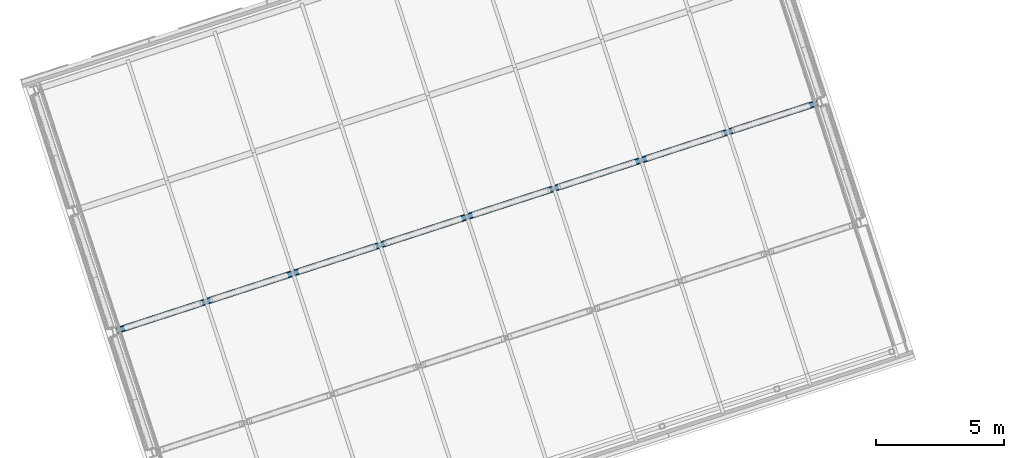
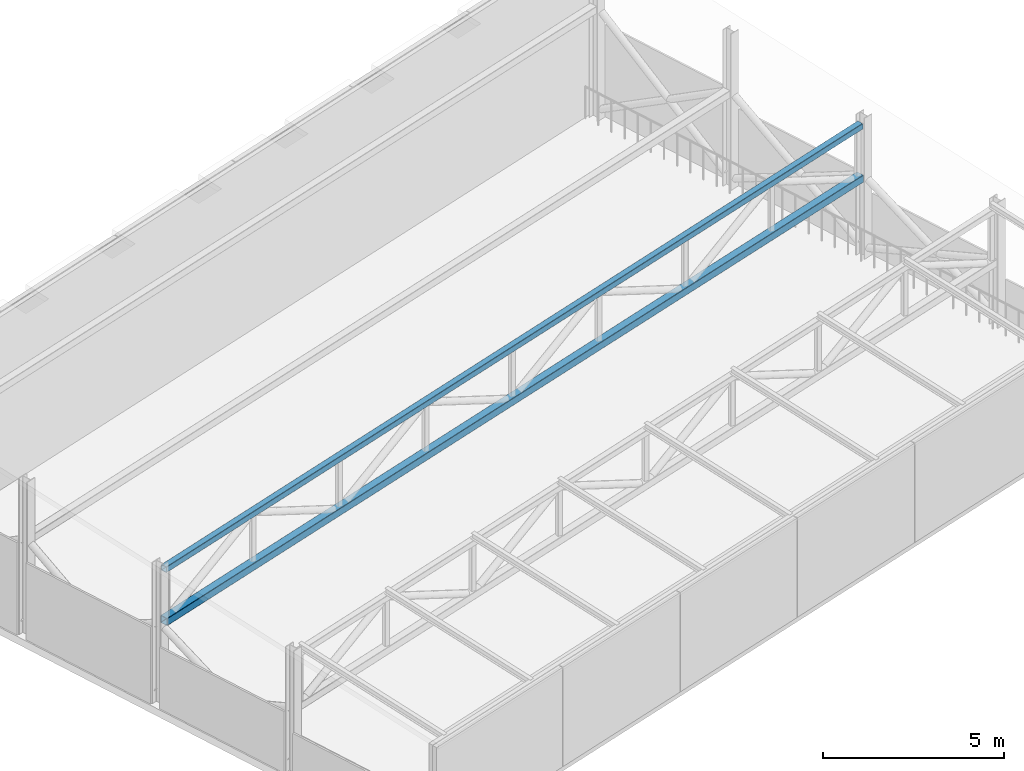
# One storey, part 8 of 49: 2 members.
"""IFC4 building model written with IfcOpenShell, lengths in metres."""

import ifcopenshell
import ifcopenshell.guid

model = None  # the IFC model being written
_history = None  # IfcOwnerHistory: only IFC2X3 demands one
_inside = {}  # id of a spatial element -> (the spatial element, [elements in it])
_under = {}  # id of a project, library or spatial element -> (it, [spatial elements below it])
_declared = {}  # id of a project -> (the project, [libraries it declares])
_typed = {}  # id of a type object -> (the type object, [elements of that type])
_made_of = {}  # id of a material, layer set ... -> (it, [elements and type objects made of it])


def new_model(schema):
    """Start an empty IFC model of exactly this schema.

    Asked for "IFC4X3", IfcOpenShell would pick the latest addendum, in which some entities
    have other attributes; the version numbers below select the first issue.
    IFC2X3 requires an IfcOwnerHistory on every rooted entity: one is made here for all.
    """
    global model, _history
    if schema == "IFC4X3":
        model = ifcopenshell.file(schema_version=(4, 3, 0, 0))
    else:
        model = ifcopenshell.file(schema=schema)
    _inside.clear()
    _under.clear()
    _declared.clear()
    _typed.clear()
    _made_of.clear()
    _history = None
    if model.schema == "IFC2X3":
        org = make("IfcOrganization", Name="unknown")
        user = make(
            "IfcPersonAndOrganization",
            ThePerson=make("IfcPerson", FamilyName="unknown"),
            TheOrganization=org,
        )
        app = make(
            "IfcApplication",
            ApplicationDeveloper=org,
            Version="unknown",
            ApplicationFullName="unknown",
            ApplicationIdentifier="unknown",
        )
        _history = make(
            "IfcOwnerHistory",
            OwningUser=user,
            OwningApplication=app,
            ChangeAction="ADDED",
            CreationDate=0,
        )
    return model


def make(cls, **values):
    """One entity of the class cls with the attributes given. An attribute that is None is left unset."""
    return model.create_entity(
        cls, **{name: value for name, value in values.items() if value is not None}
    )


def rooted(cls, **values):
    """An entity with a GlobalId (a new one), such as an element, a storey or a relation."""
    return make(cls, GlobalId=ifcopenshell.guid.new(), OwnerHistory=_history, **values)


def si_unit(unit_type, name, prefix=None):
    """IfcSIUnit, for example si_unit("LENGTHUNIT", "METRE", prefix="MILLI")."""
    return make("IfcSIUnit", UnitType=unit_type, Prefix=prefix, Name=name)


def assignment(units):
    """IfcUnitAssignment: the units of a project."""
    return None if units is None else make("IfcUnitAssignment", Units=units)


def point(xyz):
    """IfcCartesianPoint."""
    return None if xyz is None else make("IfcCartesianPoint", Coordinates=xyz)


def direction(xyz):
    """IfcDirection."""
    return None if xyz is None else make("IfcDirection", DirectionRatios=xyz)


def frame(location, z_axis=None, x_axis=None):
    """IfcAxis2Placement3D, a coordinate frame: its origin and axes. An axis left out is left unset."""
    return make(
        "IfcAxis2Placement3D",
        Location=point(location),
        Axis=direction(z_axis),
        RefDirection=direction(x_axis),
    )


def frame_2d(location, x_axis=None):
    """IfcAxis2Placement2D, a coordinate frame in the plane: its origin and x axis."""
    return make(
        "IfcAxis2Placement2D", Location=point(location), RefDirection=direction(x_axis)
    )


def origin():
    """The frame at (0, 0, 0) with its axes left unset."""
    return frame((0.0, 0.0, 0.0))


def origin_2d():
    """The frame at (0, 0) in the plane with its x axis left unset."""
    return frame_2d((0.0, 0.0))


def place(relative_to, where):
    """IfcLocalPlacement: puts the frame where relative to a parent placement (None: the world)."""
    return make(
        "IfcLocalPlacement", PlacementRelTo=relative_to, RelativePlacement=where
    )


def context(
    kind, dimensions, precision=None, world=None, true_north=None, identifier=None
):
    """IfcGeometricRepresentationContext, for example the 3D "Model" context."""
    return make(
        "IfcGeometricRepresentationContext",
        ContextIdentifier=identifier,
        ContextType=kind,
        CoordinateSpaceDimension=dimensions,
        Precision=precision,
        WorldCoordinateSystem=world,
        TrueNorth=true_north,
    )


def subcontext(parent, identifier, kind, view, scale=None):
    """IfcGeometricRepresentationSubContext, for example "Body" below "Model"."""
    return make(
        "IfcGeometricRepresentationSubContext",
        ContextIdentifier=identifier,
        ContextType=kind,
        ParentContext=parent,
        TargetScale=scale,
        TargetView=view,
    )


def project(units=None, contexts=None):
    """IfcProject with its units and contexts."""
    return rooted(
        "IfcProject",
        Name="project",
        RepresentationContexts=contexts,
        UnitsInContext=assignment(units),
    )


def spatial(cls, under=None, at=None, **own):
    """A site, building, storey or space (cls), placed at a placement, below another one or the project."""
    s = rooted(cls, ObjectPlacement=at, **own)
    if under is not None:
        _under.setdefault(under.id(), (under, []))[1].append(s)
    return s


def profile(cls, at=None, kind="AREA", **sizes):
    """A parametric profile (cls). Its sizes go by their IFC names, for example OverallWidth=200.0."""
    return make(cls, ProfileType=kind, Position=at, **sizes)


def hollow_rectangle(**sizes):
    """IfcRectangleHollowProfileDef."""
    return profile("IfcRectangleHollowProfileDef", **sizes)


def extrude(swept, where, along, depth):
    """IfcExtrudedAreaSolid: the profile swept, set in the frame where, extruded along a direction by depth."""
    return make(
        "IfcExtrudedAreaSolid",
        SweptArea=swept,
        Position=where,
        ExtrudedDirection=direction(along),
        Depth=depth,
    )


def shape(context_of_items, identifier, shape_type, items):
    """IfcShapeRepresentation: the items that make up one representation, for example the "Body"."""
    return make(
        "IfcShapeRepresentation",
        ContextOfItems=context_of_items,
        RepresentationIdentifier=identifier,
        RepresentationType=shape_type,
        Items=items,
    )


def material(Name=None, Category=None):
    """IfcMaterial."""
    return make("IfcMaterial", Name=Name, Category=Category)


def material_profile(
    of_material, cross_section, Name=None, Category=None, Priority=None
):
    """IfcMaterialProfile: a cross section and its material."""
    return make(
        "IfcMaterialProfile",
        Name=Name,
        Material=of_material,
        Profile=cross_section,
        Priority=Priority,
        Category=Category,
    )


def profile_set(profiles, Name=None, composite=None):
    """IfcMaterialProfileSet."""
    return make(
        "IfcMaterialProfileSet",
        Name=Name,
        MaterialProfiles=profiles,
        CompositeProfile=composite,
    )


def made_of(thing, what):
    """Note that an element or type object is made of a material, layer set ...; save() writes the relation."""
    if what is not None:
        _made_of.setdefault(what.id(), (what, []))[1].append(thing)
    return thing


def type_object(cls, material=None, **own):
    """A type object (cls), such as IfcWallType, which elements share."""
    return made_of(rooted(cls, **own), material)


def element(
    cls,
    number,
    at=None,
    inside=None,
    cuts=None,
    type_object=None,
    material=None,
    context=None,
    identifier="Body",
    shape_type=None,
    held_by="IfcProductDefinitionShape",
    body=None,
    shapes=None,
    **own,
):
    """One element of the class cls, such as IfcWall. Its Tag is "e" and its number.

    at: its placement. inside: the storey or other place that contains it. cuts: it is an
    opening in that element (IfcRelVoidsElement). A single representation is given by context,
    identifier, shape_type and body (its items); several are given by shapes. held_by: the class
    of the entity that holds the representations. save() writes the other relations.
    """
    e = rooted(cls, Tag="e%d" % number, ObjectPlacement=at, **own)
    if body is not None:
        shapes = [shape(context, identifier, shape_type, body)]
    if shapes is not None:
        e.Representation = make(held_by, Representations=shapes)
    if inside is not None:
        _inside.setdefault(inside.id(), (inside, []))[1].append(e)
    if cuts is not None:
        rooted(
            "IfcRelVoidsElement", RelatingBuildingElement=cuts, RelatedOpeningElement=e
        )
    if type_object is not None:
        _typed.setdefault(type_object.id(), (type_object, []))[1].append(e)
    return made_of(e, material)


def aggregate(whole, parts):
    """IfcRelAggregates: a whole, such as a stair, and the parts it consists of."""
    return rooted("IfcRelAggregates", RelatingObject=whole, RelatedObjects=parts)


def save(model, path):
    """Write the relations noted so far, then the file.

    IfcRelAggregates (storeys below a building ...), IfcRelContainedInSpatialStructure (elements
    in a storey), IfcRelDefinesByType, IfcRelAssociatesMaterial and IfcRelDeclares: one each for
    every whole, place, type object, material and project.
    """
    for whole, parts in _under.values():
        aggregate(whole, parts)
    for where, things in _inside.values():
        rooted(
            "IfcRelContainedInSpatialStructure",
            RelatedElements=things,
            RelatingStructure=where,
        )
    for kind, things in _typed.values():
        rooted("IfcRelDefinesByType", RelatedObjects=things, RelatingType=kind)
    for what, things in _made_of.values():
        rooted("IfcRelAssociatesMaterial", RelatedObjects=things, RelatingMaterial=what)
    for by, libraries in _declared.values():
        rooted("IfcRelDeclares", RelatingContext=by, RelatedDefinitions=libraries)
    model.write(path)


model = new_model("IFC4")

# Units and contexts
model_context = context("Model", 3, precision=1e-05, world=origin(), true_north=direction((0.0, 1.0)))
body_context = subcontext(model_context, "Body", "Model", "MODEL_VIEW")
ifc_project = project(units=[si_unit("LENGTHUNIT", "METRE"), si_unit("AREAUNIT", "SQUARE_METRE"), si_unit("VOLUMEUNIT", "CUBIC_METRE"), si_unit("PLANEANGLEUNIT", "RADIAN"), si_unit("MASSUNIT", "GRAM", prefix="KILO")], contexts=[model_context])

# Site, building, storey
site_placement = place(None, origin())
site = spatial("IfcSite", under=ifc_project, at=site_placement, CompositionType="ELEMENT")
building_placement = place(site_placement, origin())
building = spatial("IfcBuilding", under=site, at=building_placement, Name="Tuart Plaza Theatre", CompositionType="ELEMENT")
storey_placement = place(building_placement, frame((0.0, 0.0, 29.5)))
storey = spatial("IfcBuildingStorey", under=building, at=storey_placement, Name="L07", CompositionType="ELEMENT", Elevation=29.5)

# Members
ifc_material_1 = material(Name="Steel Grade C350L0", Category="steel")
ifc_material_profile_1 = material_profile(ifc_material_1, hollow_rectangle(XDim=0.199951171875, YDim=0.199951171875, WallThickness=0.010009765625, InnerFilletRadius=0.010009765625, OuterFilletRadius=0.02001953125, at=origin_2d()), Name="200x200x10 SHS")
ifc_profile_set_1 = profile_set([ifc_material_profile_1], Name="Steel Grade C350L0")
member_type_1 = type_object("IfcMemberType", Name="MEMBER Chord 200x200x10 SHS", PredefinedType="CHORD", material=ifc_profile_set_1)
member_1_placement = place(storey_placement, frame((38.374267578125, 78.283203125, 4.4453125), z_axis=(0.951055766824, 0.309019301002, 0.0), x_axis=(-0.309019301002, 0.951055766824, 0.0)))
element("IfcMember", 1, at=member_1_placement, inside=storey, type_object=member_type_1, Name="CH22", PredefinedType="CHORD", context=body_context, shape_type="SweptSolid", body=[
    extrude(hollow_rectangle(XDim=0.199951171875, YDim=0.199951171875, WallThickness=0.010009765625, InnerFilletRadius=0.010009765625, OuterFilletRadius=0.02001953125, at=origin_2d()), origin(), (0.0, 0.0, 1.0), 28.68896484375),
])
ifc_material_2 = material(Name="Steel Grade C350L0", Category="steel")
ifc_material_profile_2 = material_profile(ifc_material_2, hollow_rectangle(XDim=0.25, YDim=0.25, WallThickness=0.010009765625, InnerFilletRadius=0.010009765625, OuterFilletRadius=0.02001953125, at=origin_2d()), Name="250x250x10 SHS")
ifc_profile_set_2 = profile_set([ifc_material_profile_2], Name="Steel Grade C350L0")
member_type_2 = type_object("IfcMemberType", Name="MEMBER Chord 250x250x10 SHS", PredefinedType="CHORD", material=ifc_profile_set_2)
member_2_placement = place(storey_placement, frame((38.374267578125, 78.283203125, 2.6953125), z_axis=(0.951055766824, 0.309019301002, 0.0), x_axis=(-0.309019301002, 0.951055766824, 0.0)))
element("IfcMember", 2, at=member_2_placement, inside=storey, type_object=member_type_2, Name="CH21", PredefinedType="CHORD", context=body_context, shape_type="SweptSolid", body=[
    extrude(hollow_rectangle(XDim=0.25, YDim=0.25, WallThickness=0.010009765625, InnerFilletRadius=0.010009765625, OuterFilletRadius=0.02001953125, at=origin_2d()), origin(), (0.0, 0.0, 1.0), 28.68896484375),
])

save(model, "model.ifc")
